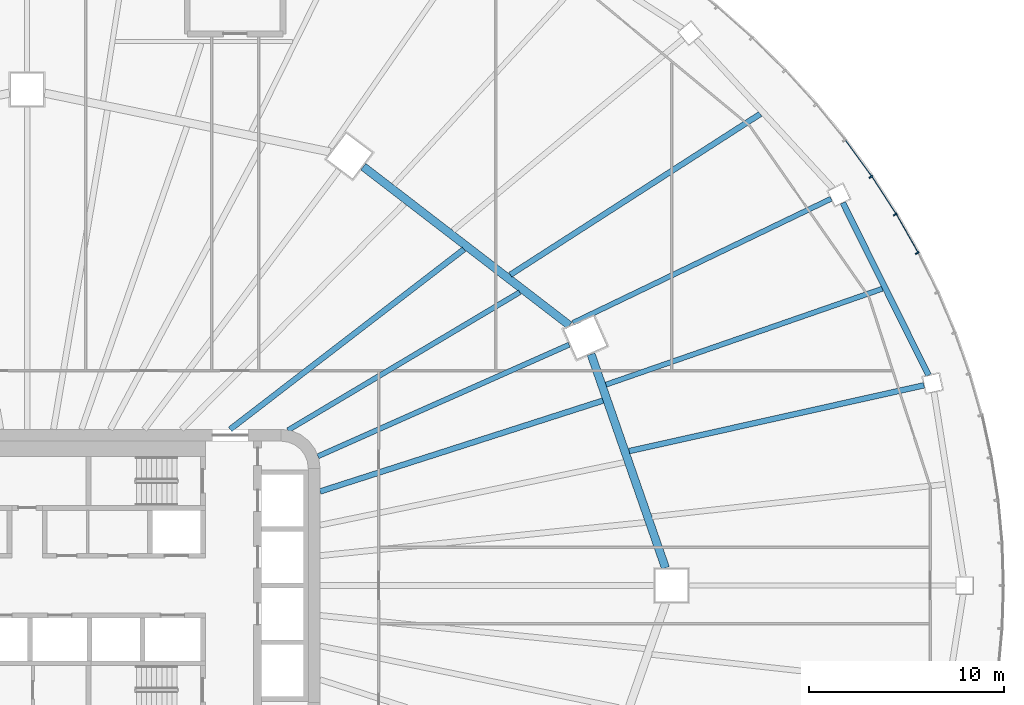
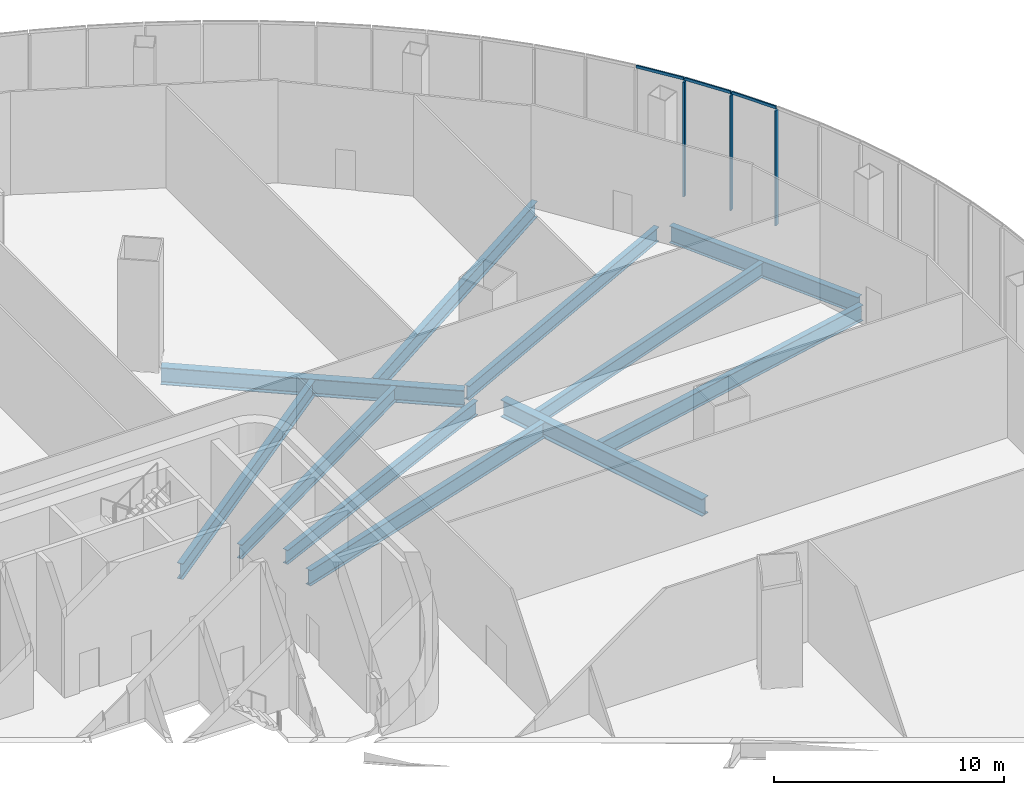
# One storey, part 11 of 33: 11 beams, 6 members, 2 elements without a shape of their own.
"""IFC4 building model written with IfcOpenShell, lengths in metres."""

from ifc_helpers import new_model, si_unit, direction, frame, origin, origin_2d, place, context, subcontext, project, spatial, rectangle, i_section, extrude, material, layer, layer_set, material_profile, profile_set, type_object, element, aggregate, save


model = new_model("IFC4")

# Units and contexts
model_context = context("Model", 3, precision=1e-05, world=origin(), true_north=direction((0.0, 1.0)))
body_context = subcontext(model_context, "Body", "Model", "MODEL_VIEW")
ifc_project = project(units=[si_unit("LENGTHUNIT", "METRE"), si_unit("AREAUNIT", "SQUARE_METRE"), si_unit("VOLUMEUNIT", "CUBIC_METRE"), si_unit("PLANEANGLEUNIT", "RADIAN"), si_unit("MASSUNIT", "GRAM", prefix="KILO")], contexts=[model_context])

# Site, building, storey
site_placement = place(None, origin())
site = spatial("IfcSite", under=ifc_project, at=site_placement, CompositionType="ELEMENT")
building_placement = place(site_placement, origin())
building = spatial("IfcBuilding", under=site, at=building_placement, Name="Sahrelin Media Tower", CompositionType="ELEMENT")
storey_placement = place(building_placement, frame((0.0, 0.0, 37.39990234375)))
storey = spatial("IfcBuildingStorey", under=building, at=storey_placement, Name="L05", CompositionType="ELEMENT", Elevation=37.39990234375)

# Curtain wall, members
ifc_material_1 = material(Name="Champagne anodised aluminium 6063-T6", Category="aluminium")
ifc_layer = layer(ifc_material_1, 0.14990234375)
ifc_layer_set = layer_set([ifc_layer], Name="Podium ribbon curtain wall")
curtain_wall_type = type_object("IfcCurtainWallType", Name="Podium ribbon curtain wall", PredefinedType="NOTDEFINED", material=ifc_layer_set)
curtain_wall_1_placement = place(storey_placement, frame((48.29638671875, 10.870361328125, 0.0), z_axis=(0.0, 0.0, 1.0), x_axis=(1.0, 0.0, 0.0)))
curtain_wall_1 = element("IfcCurtainWall", 1, at=curtain_wall_1_placement, inside=storey, type_object=curtain_wall_type, Name="L05:CW:L05-P01", PredefinedType="NOTDEFINED")
ifc_material_profile_1 = material_profile(ifc_material_1, rectangle(XDim=0.080078125, YDim=0.199951171875, at=origin_2d()), Name="Mullion 80x200")
ifc_profile_set_1 = profile_set([ifc_material_profile_1], Name="Champagne anodised aluminium 6063-T6")
member_type_1 = type_object("IfcMemberType", Name="Mullion 80x200 CW5", PredefinedType="MULLION", material=ifc_profile_set_1)
member_1_placement = place(storey_placement, frame((45.572998046875, 17.023681640625, 0.0), z_axis=(0.0, 0.0, 1.0), x_axis=(-0.493787068155, 0.869582849028, 0.0)))
member_1 = element("IfcMember", 2, at=member_1_placement, type_object=member_type_1, Name="L05:CWM4:L05-P01", PredefinedType="MULLION", context=body_context, shape_type="SweptSolid", body=[
    extrude(rectangle(XDim=0.080078125, YDim=0.199951171875, at=origin_2d()), origin(), (0.0, 0.0, 1.0), 6.10009765625),
])
member_2_placement = place(storey_placement, frame((44.449462890625, 19.00244140625, 0.0), z_axis=(0.0, 0.0, 1.0), x_axis=(-0.542830032192, 0.839842578196, 0.0)))
member_2 = element("IfcMember", 3, at=member_2_placement, type_object=member_type_1, Name="L05:CWM5:L05-P01", PredefinedType="MULLION", context=body_context, shape_type="SweptSolid", body=[
    extrude(rectangle(XDim=0.080078125, YDim=0.199951171875, at=origin_2d()), origin(), (0.0, 0.0, 1.0), 6.10009765625),
])

# Curtain wall, member
curtain_wall_2_placement = place(storey_placement, frame((43.30126953125, 21.0, 0.0), z_axis=(0.0, 0.0, 1.0), x_axis=(1.0, 0.0, 0.0)))
curtain_wall_2 = element("IfcCurtainWall", 4, at=curtain_wall_2_placement, inside=storey, type_object=curtain_wall_type, Name="L05:CW:L05-P02", PredefinedType="NOTDEFINED")
member_3_placement = place(storey_placement, frame((43.204345703125, 20.92919921875, 0.0), z_axis=(0.0, 0.0, 1.0), x_axis=(-0.589385309161, 0.807852064022, 0.0)))
member_3 = element("IfcMember", 5, at=member_3_placement, type_object=member_type_1, Name="L05:CWM1:L05-P02", PredefinedType="MULLION", context=body_context, shape_type="SweptSolid", body=[
    extrude(rectangle(XDim=0.080078125, YDim=0.199951171875, at=origin_2d()), origin(), (0.0, 0.0, 1.0), 6.10009765625),
])

# Beams
ifc_material_2 = material(Name="Steel S355", Category="steel")
ifc_material_profile_2 = material_profile(ifc_material_2, i_section(OverallWidth=0.30322265625, OverallDepth=0.903076171875, WebThickness=0.01513671875, FlangeThickness=0.020263671875, FilletRadius=0.01904296875, at=origin_2d()), Name="UB 914x305x201")
ifc_profile_set_2 = profile_set([ifc_material_profile_2], Name="Steel S355")
beam_type_1 = type_object("IfcBeamType", Name="Podium edge girder PE11", PredefinedType="BEAM", material=ifc_profile_set_2)
beam_1_placement = place(storey_placement, frame((46.158203125, 10.767822265625, -0.6513671875), z_axis=(-0.445112588569, 0.895474613541, 0.0), x_axis=(-0.895474613541, -0.445112588569, 0.0)))
element("IfcBeam", 6, at=beam_1_placement, inside=storey, type_object=beam_type_1, Name="Podium edge girder L05-02", PredefinedType="BEAM", context=body_context, shape_type="SweptSolid", body=[
    extrude(i_section(OverallWidth=0.30322265625, OverallDepth=0.903076171875, WebThickness=0.01513671875, FlangeThickness=0.020263671875, FilletRadius=0.01904296875, at=origin_2d()), origin(), (0.0, 0.0, 1.0), 9.859619140625),
])
ifc_material_profile_3 = material_profile(ifc_material_2, i_section(OverallWidth=0.41845703125, OverallDepth=0.911865234375, WebThickness=0.019287109375, FlangeThickness=0.031982421875, FilletRadius=0.024169921875, at=origin_2d()), Name="UB 914x419x343")
ifc_profile_set_3 = profile_set([ifc_material_profile_3], Name="Steel S355")
beam_type_2 = type_object("IfcBeamType", Name="Podium ring girder PG12", PredefinedType="BEAM", material=ifc_profile_set_3)
beam_2_placement = place(storey_placement, frame((32.686767578125, 0.89990234375, -0.65576171875), z_axis=(-0.328773851324, 0.944408679908, 0.0), x_axis=(-0.944408679908, -0.328773851324, 0.0)))
element("IfcBeam", 7, at=beam_2_placement, inside=storey, type_object=beam_type_2, Name="Podium girder L05-01", PredefinedType="BEAM", context=body_context, shape_type="SweptSolid", body=[
    extrude(i_section(OverallWidth=0.41845703125, OverallDepth=0.911865234375, WebThickness=0.019287109375, FlangeThickness=0.031982421875, FilletRadius=0.024169921875, at=origin_2d()), origin(), (0.0, 0.0, 1.0), 11.591552734375),
])
beam_3_placement = place(storey_placement, frame((27.767578125, 13.324462890625, -0.65576171875), z_axis=(-0.792445416108, 0.609942835428, 0.0), x_axis=(-0.609942835428, -0.792445416108, 0.0)))
element("IfcBeam", 8, at=beam_3_placement, inside=storey, type_object=beam_type_2, Name="Podium girder L05-02", PredefinedType="BEAM", context=body_context, shape_type="SweptSolid", body=[
    extrude(i_section(OverallWidth=0.41845703125, OverallDepth=0.911865234375, WebThickness=0.019287109375, FlangeThickness=0.031982421875, FilletRadius=0.024169921875, at=origin_2d()), origin(), (0.0, 0.0, 1.0), 13.318603515625),
])
ifc_material_profile_4 = material_profile(ifc_material_2, i_section(OverallWidth=0.291748046875, OverallDepth=0.8349609375, WebThickness=0.013916015625, FlangeThickness=0.018798828125, FilletRadius=0.017822265625, at=origin_2d()), Name="UB 838x292x176")
ifc_profile_set_4 = profile_set([ifc_material_profile_4], Name="Steel S355")
beam_type_3 = type_object("IfcBeamType", Name="Radial primary beam PB10", PredefinedType="BEAM", material=ifc_profile_set_4)
beam_4_placement = place(storey_placement, frame((10.393798828125, 8.0, -0.617431640625), z_axis=(0.79244196099, 0.609947324335, 0.0), x_axis=(-0.609947324335, 0.79244196099, 0.0)))
element("IfcBeam", 9, at=beam_4_placement, inside=storey, type_object=beam_type_3, Name="Radial beam L05-04", PredefinedType="BEAM", context=body_context, shape_type="SweptSolid", body=[
    extrude(i_section(OverallWidth=0.291748046875, OverallDepth=0.8349609375, WebThickness=0.013916015625, FlangeThickness=0.018798828125, FilletRadius=0.017822265625, at=origin_2d()), origin(), (0.0, 0.0, 1.0), 15.1103515625),
])
beam_5_placement = place(storey_placement, frame((30.825439453125, 6.883056640625, -0.617431640625), z_axis=(0.975966755314, 0.217919463385, 0.0), x_axis=(-0.217919463385, 0.975966755314, 0.0)))
element("IfcBeam", 10, at=beam_5_placement, inside=storey, type_object=beam_type_3, Name="Radial beam L05-02", PredefinedType="BEAM", context=body_context, shape_type="SweptSolid", body=[
    extrude(i_section(OverallWidth=0.291748046875, OverallDepth=0.8349609375, WebThickness=0.013916015625, FlangeThickness=0.018798828125, FilletRadius=0.017822265625, at=origin_2d()), origin(), (0.0, 0.0, 1.0), 15.4716796875),
])
ifc_material_profile_5 = material_profile(ifc_material_2, i_section(OverallWidth=0.26513671875, OverallDepth=0.75390625, WebThickness=0.0126953125, FlangeThickness=0.017578125, FilletRadius=0.0166015625, at=origin_2d()), Name="UB 762x267x147")
ifc_profile_set_5 = profile_set([ifc_material_profile_5], Name="Steel S355")
beam_type_4 = type_object("IfcBeamType", Name="Radial primary beam PB9", PredefinedType="BEAM", material=ifc_profile_set_5)
beam_6_placement = place(storey_placement, frame((14.890625, 6.6171875, -0.576904296875), z_axis=(0.913833000058, 0.406090196883, 0.0), x_axis=(-0.406090196883, 0.913833000058, 0.0)))
element("IfcBeam", 11, at=beam_6_placement, inside=storey, type_object=beam_type_4, Name="Radial beam L05-03", PredefinedType="BEAM", context=body_context, shape_type="SweptSolid", body=[
    extrude(i_section(OverallWidth=0.26513671875, OverallDepth=0.75390625, WebThickness=0.0126953125, FlangeThickness=0.017578125, FilletRadius=0.0166015625, at=origin_2d()), origin(), (0.0, 0.0, 1.0), 14.078857421875),
])
beam_7_placement = place(storey_placement, frame((27.950439453125, 13.44775390625, -0.576904296875), z_axis=(0.901130102072, 0.433548773657, 0.0), x_axis=(-0.433548773657, 0.901130102072, 0.0)))
element("IfcBeam", 12, at=beam_7_placement, inside=storey, type_object=beam_type_4, Name="Radial beam L05-03", PredefinedType="BEAM", context=body_context, shape_type="SweptSolid", body=[
    extrude(i_section(OverallWidth=0.26513671875, OverallDepth=0.75390625, WebThickness=0.0126953125, FlangeThickness=0.017578125, FilletRadius=0.0166015625, at=origin_2d()), origin(), (0.0, 0.0, 1.0), 14.6630859375),
])
ifc_material_profile_6 = material_profile(ifc_material_2, i_section(OverallWidth=0.291748046875, OverallDepth=0.8349609375, WebThickness=0.013916015625, FlangeThickness=0.018798828125, FilletRadius=0.017822265625, at=origin_2d()), Name="UB 838x292x176")
ifc_profile_set_6 = profile_set([ifc_material_profile_6], Name="Steel S355")
beam_type_5 = type_object("IfcBeamType", Name="Radial secondary beam SB10", PredefinedType="BEAM", material=ifc_profile_set_6)
beam_8_placement = place(storey_placement, frame((15.0, 4.81787109375, -0.617431640625), z_axis=(0.952096340592, 0.305798231244, 0.0), x_axis=(-0.305798231244, 0.952096340592, 0.0)))
element("IfcBeam", 13, at=beam_8_placement, inside=storey, type_object=beam_type_5, Name="Secondary beam L05-02", PredefinedType="BEAM", context=body_context, shape_type="SweptSolid", body=[
    extrude(i_section(OverallWidth=0.291748046875, OverallDepth=0.8349609375, WebThickness=0.013916015625, FlangeThickness=0.018798828125, FilletRadius=0.017822265625, at=origin_2d()), origin(), (0.0, 0.0, 1.0), 15.210693359375),
])
beam_9_placement = place(storey_placement, frame((24.744140625, 15.91552734375, -0.617431640625), z_axis=(0.84104292767, 0.540968385228, 0.0), x_axis=(-0.540968385228, 0.84104292767, 0.0)))
element("IfcBeam", 14, at=beam_9_placement, inside=storey, type_object=beam_type_5, Name="Secondary beam L05-03", PredefinedType="BEAM", context=body_context, shape_type="SweptSolid", body=[
    extrude(i_section(OverallWidth=0.291748046875, OverallDepth=0.8349609375, WebThickness=0.013916015625, FlangeThickness=0.018798828125, FilletRadius=0.017822265625, at=origin_2d()), origin(), (0.0, 0.0, 1.0), 15.218505859375),
])
ifc_material_profile_7 = material_profile(ifc_material_2, i_section(OverallWidth=0.26513671875, OverallDepth=0.75390625, WebThickness=0.0126953125, FlangeThickness=0.017578125, FilletRadius=0.0166015625, at=origin_2d()), Name="UB 762x267x147")
ifc_profile_set_7 = profile_set([ifc_material_profile_7], Name="Steel S355")
beam_type_6 = type_object("IfcBeamType", Name="Radial secondary beam SB9", PredefinedType="BEAM", material=ifc_profile_set_7)
beam_10_placement = place(storey_placement, frame((13.356201171875, 7.953125, -0.576904296875), z_axis=(0.859199265621, 0.511641106594, 0.0), x_axis=(-0.511641106594, 0.859199265621, 0.0)))
element("IfcBeam", 15, at=beam_10_placement, inside=storey, type_object=beam_type_6, Name="Secondary beam L05-03", PredefinedType="BEAM", context=body_context, shape_type="SweptSolid", body=[
    extrude(i_section(OverallWidth=0.26513671875, OverallDepth=0.75390625, WebThickness=0.0126953125, FlangeThickness=0.017578125, FilletRadius=0.0166015625, at=origin_2d()), origin(), (0.0, 0.0, 1.0), 13.810791015625),
])
beam_11_placement = place(storey_placement, frame((29.640380859375, 10.287109375, -0.576904296875), z_axis=(0.944713020182, 0.32789832189, 0.0), x_axis=(-0.32789832189, 0.944713020182, 0.0)))
element("IfcBeam", 16, at=beam_11_placement, inside=storey, type_object=beam_type_6, Name="Secondary beam L05-02", PredefinedType="BEAM", context=body_context, shape_type="SweptSolid", body=[
    extrude(i_section(OverallWidth=0.26513671875, OverallDepth=0.75390625, WebThickness=0.0126953125, FlangeThickness=0.017578125, FilletRadius=0.0166015625, at=origin_2d()), origin(), (0.0, 0.0, 1.0), 14.974609375),
])

# Member
ifc_material_profile_8 = material_profile(ifc_material_1, rectangle(XDim=0.06005859375, YDim=0.14990234375, at=origin_2d()), Name="Transom 60x150")
ifc_profile_set_8 = profile_set([ifc_material_profile_8], Name="Champagne anodised aluminium 6063-T6")
member_type_2 = type_object("IfcMemberType", Name="Transom 60x150 CW5", PredefinedType="USERDEFINED", material=ifc_profile_set_8)
member_4_placement = place(storey_placement, frame((45.609130859375, 17.101806640625, 6.175048828125), z_axis=(-0.493793305481, 0.869579307172, 0.0), x_axis=(-0.869579307172, -0.493793305481, 0.0)))
member_4 = element("IfcMember", 17, at=member_4_placement, type_object=member_type_2, Name="L05:CWT4a:L05-P01", ObjectType="TRANSOM", PredefinedType="USERDEFINED", context=body_context, shape_type="SweptSolid", body=[
    extrude(rectangle(XDim=0.06005859375, YDim=0.14990234375, at=origin_2d()), origin(), (0.0, 0.0, 1.0), 2.232421875),
])

member_5_placement = place(storey_placement, frame((44.481201171875, 19.08251953125, 6.175048828125), z_axis=(-0.542855461476, 0.8398261415, 0.0), x_axis=(-0.8398261415, -0.542855461476, 0.0)))
member_5 = element("IfcMember", 18, at=member_5_placement, type_object=member_type_2, Name="L05:CWT5a:L05-P01", ObjectType="TRANSOM", PredefinedType="USERDEFINED", context=body_context, shape_type="SweptSolid", body=[
    extrude(rectangle(XDim=0.06005859375, YDim=0.14990234375, at=origin_2d()), origin(), (0.0, 0.0, 1.0), 2.2509765625),
])

aggregate(curtain_wall_1, [member_1, member_4, member_2, member_5])

member_6_placement = place(storey_placement, frame((43.2314453125, 21.010986328125, 6.175048828125), z_axis=(-0.589436833423, 0.807814470906, 0.0), x_axis=(-0.807814470906, -0.589436833423, 0.0)))
member_6 = element("IfcMember", 19, at=member_6_placement, type_object=member_type_2, Name="L05:CWT1a:L05-P02", ObjectType="TRANSOM", PredefinedType="USERDEFINED", context=body_context, shape_type="SweptSolid", body=[
    extrude(rectangle(XDim=0.06005859375, YDim=0.14990234375, at=origin_2d()), origin(), (0.0, 0.0, 1.0), 2.2705078125),
])

aggregate(curtain_wall_2, [member_3, member_6])

save(model, "model.ifc")
